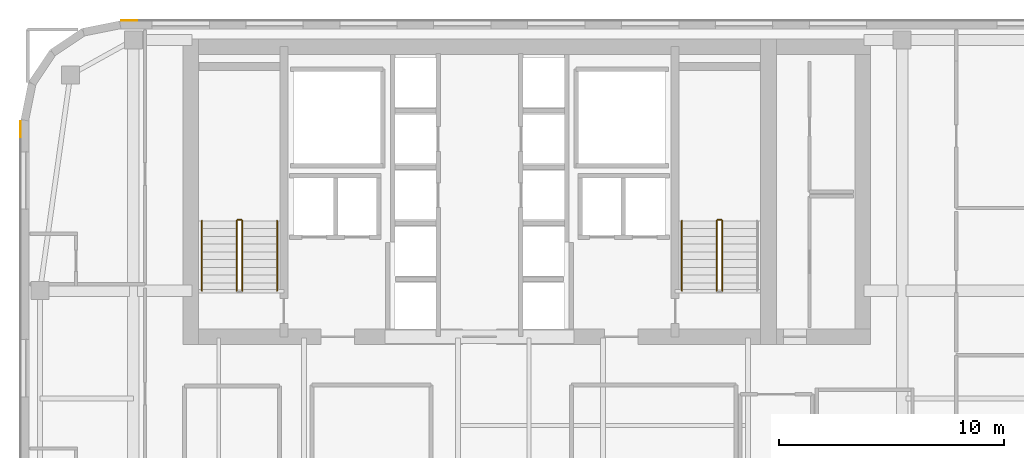
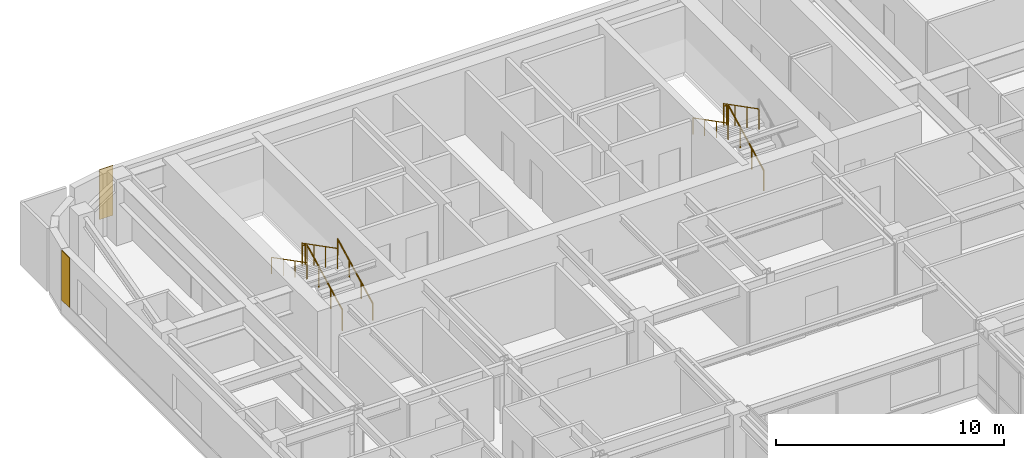
# One storey, part 20 of 21: 9 railings, 2 coverings.
"""IFC4 building model written with IfcOpenShell, lengths in metres."""

from ifc_helpers import new_model, si_unit, direction, frame, origin, origin_2d, place, context, subcontext, project, spatial, polyline, circle, outline, extrude, material, layer, layer_set, type_object, element, save


model = new_model("IFC4")

# Units and contexts
model_context = context("Model", 3, precision=1e-05, world=origin(), true_north=direction((0.0, 1.0)))
body_context = subcontext(model_context, "Body", "Model", "MODEL_VIEW")
ifc_project = project(units=[si_unit("LENGTHUNIT", "METRE"), si_unit("AREAUNIT", "SQUARE_METRE"), si_unit("VOLUMEUNIT", "CUBIC_METRE"), si_unit("PLANEANGLEUNIT", "RADIAN"), si_unit("MASSUNIT", "GRAM", prefix="KILO")], contexts=[model_context])

# Site, building, storey
site_placement = place(None, origin())
site = spatial("IfcSite", under=ifc_project, at=site_placement, CompositionType="ELEMENT")
building_placement = place(site_placement, origin())
building = spatial("IfcBuilding", under=site, at=building_placement, Name="Tolvann Quenvar Hotel", CompositionType="ELEMENT")
storey_placement = place(building_placement, frame((0.0, 0.0, 161.25)))
storey = spatial("IfcBuildingStorey", under=building, at=storey_placement, Name="L42", CompositionType="ELEMENT", Elevation=161.25)

# Coverings
ifc_material_1 = material(Name="Kiln-fired red architectural face brick cladding", Category="masonry")
ifc_layer = layer(ifc_material_1, 0.0400390625)
ifc_layer_set = layer_set([ifc_layer], Name="Kiln-fired red architectural face brick cladding")
covering_type = type_object("IfcCoveringType", Name="COV_CLAD_BRICK_40", PredefinedType="CLADDING", material=ifc_layer_set)
covering_1_placement = place(storey_placement, frame((0.0, 0.0, 0.699951171875)))
element("IfcCovering", 1, at=covering_1_placement, inside=storey, type_object=covering_type, Name="Brick Pier Cladding (L42-E18-P2)", PredefinedType="CLADDING", context=body_context, shape_type="SweptSolid", body=[
    extrude(outline(polyline([(7.76708984375, 46.0), (7.067138671875, 46.0), (7.067138671875, 46.0400390625), (7.76708984375, 46.0400390625), (7.76708984375, 46.0)])), origin(), (0.0, 0.0, 1.0), 2.670166015625),
])
covering_2_placement = place(storey_placement, frame((0.0, 0.0, 0.699951171875)))
element("IfcCovering", 2, at=covering_2_placement, inside=storey, type_object=covering_type, Name="Brick Pier Cladding (L42-E23-P1)", PredefinedType="CLADDING", context=body_context, shape_type="SweptSolid", body=[
    extrude(outline(polyline([(2.60009765625, 41.53271484375), (2.60009765625, 40.832763671875), (2.56005859375, 40.832763671875), (2.56005859375, 41.53271484375), (2.60009765625, 41.53271484375)])), origin(), (0.0, 0.0, 1.0), 2.670166015625),
])

# Railings
ifc_material_2 = material(Name="Brushed 316 stainless steel balustrade and handrail", Category="steel")
railing_type_1 = type_object("IfcRailingType", Name="GUARDRAIL", PredefinedType="GUARDRAIL", material=ifc_material_2)
railing_1_placement = place(storey_placement, frame((12.449951171875, 34.0, 0.177490234375)))
element("IfcRailing", 3, at=railing_1_placement, inside=storey, type_object=railing_type_1, Name="L42 ST-C1 stair guard 1", PredefinedType="GUARDRAIL", context=body_context, shape_type="SweptSolid", body=[
    extrude(circle(Radius=0.02392578125, at=origin_2d()), frame((0.0, 0.0, 1.09619140625), z_axis=(0.0, 0.889221982265, 0.45747597342), x_axis=(-1.0, 0.0, 0.0)), (0.0, 0.0, 1.0), 3.49169921875),
    extrude(circle(Radius=0.02099609375, at=origin_2d()), origin(), (0.0, 0.0, 1.0), 1.072021484375),
    extrude(circle(Radius=0.02099609375, at=origin_2d()), frame((0.0, 1.034912109375, 0.532470703125)), (0.0, 0.0, 1.0), 1.072021484375),
    extrude(circle(Radius=0.02099609375, at=origin_2d()), frame((0.0, 2.070068359375, 1.06494140625)), (0.0, 0.0, 1.0), 1.072021484375),
    extrude(circle(Radius=0.02099609375, at=origin_2d()), frame((0.0, 3.10498046875, 1.597412109375)), (0.0, 0.0, 1.0), 1.072021484375),
])
railing_2_placement = place(storey_placement, frame((12.39990234375, 37.155029296875, 1.77490234375)))
element("IfcRailing", 4, at=railing_2_placement, inside=storey, type_object=railing_type_1, Name="L42 ST-C1 stair guard 2", PredefinedType="GUARDRAIL", context=body_context, shape_type="SweptSolid", body=[
    extrude(circle(Radius=0.02392578125, at=origin_2d()), frame((0.0, 0.0, 1.09619140625), z_axis=(-1.0, 0.0, 0.0), x_axis=(0.0, -1.0, 0.0)), (0.0, 0.0, 1.0), 0.14990234375),
    extrude(circle(Radius=0.02099609375, at=origin_2d()), origin(), (0.0, 0.0, 1.0), 1.072021484375),
    extrude(circle(Radius=0.02099609375, at=origin_2d()), frame((-0.14990234375, 0.0, 0.0)), (0.0, 0.0, 1.0), 1.072021484375),
])
railing_3_placement = place(storey_placement, frame((12.199951171875, 37.10498046875, 1.952392578125)))
element("IfcRailing", 5, at=railing_3_placement, inside=storey, type_object=railing_type_1, Name="L42 ST-C1 stair guard 3", PredefinedType="GUARDRAIL", context=body_context, shape_type="SweptSolid", body=[
    extrude(circle(Radius=0.02392578125, at=origin_2d()), frame((0.0, 0.0, 1.09619140625), z_axis=(0.0, -0.88919353882, 0.457531256332), x_axis=(1.0, 0.0, 0.0)), (0.0, 0.0, 1.0), 3.491943359375),
    extrude(circle(Radius=0.02099609375, at=origin_2d()), origin(), (0.0, 0.0, 1.0), 1.072021484375),
    extrude(circle(Radius=0.02099609375, at=origin_2d()), frame((0.0, -1.034912109375, 0.532470703125)), (0.0, 0.0, 1.0), 1.072021484375),
    extrude(circle(Radius=0.02099609375, at=origin_2d()), frame((0.0, -2.070068359375, 1.065185546875)), (0.0, 0.0, 1.0), 1.072021484375),
    extrude(circle(Radius=0.02099609375, at=origin_2d()), frame((0.0, -3.10498046875, 1.59765625)), (0.0, 0.0, 1.0), 1.072021484375),
])
railing_4_placement = place(storey_placement, frame((33.800048828125, 34.0, 0.177490234375)))
element("IfcRailing", 6, at=railing_4_placement, inside=storey, type_object=railing_type_1, Name="L42 ST-C2 stair guard 1", PredefinedType="GUARDRAIL", context=body_context, shape_type="SweptSolid", body=[
    extrude(circle(Radius=0.02392578125, at=origin_2d()), frame((0.0, 0.0, 1.09619140625), z_axis=(0.0, 0.889221982265, 0.45747597342), x_axis=(-1.0, 0.0, 0.0)), (0.0, 0.0, 1.0), 3.49169921875),
    extrude(circle(Radius=0.02099609375, at=origin_2d()), origin(), (0.0, 0.0, 1.0), 1.072021484375),
    extrude(circle(Radius=0.02099609375, at=origin_2d()), frame((0.0, 1.034912109375, 0.532470703125)), (0.0, 0.0, 1.0), 1.072021484375),
    extrude(circle(Radius=0.02099609375, at=origin_2d()), frame((0.0, 2.070068359375, 1.06494140625)), (0.0, 0.0, 1.0), 1.072021484375),
    extrude(circle(Radius=0.02099609375, at=origin_2d()), frame((0.0, 3.10498046875, 1.597412109375)), (0.0, 0.0, 1.0), 1.072021484375),
])
railing_5_placement = place(storey_placement, frame((33.75, 37.155029296875, 1.77490234375)))
element("IfcRailing", 7, at=railing_5_placement, inside=storey, type_object=railing_type_1, Name="L42 ST-C2 stair guard 2", PredefinedType="GUARDRAIL", context=body_context, shape_type="SweptSolid", body=[
    extrude(circle(Radius=0.02392578125, at=origin_2d()), frame((0.0, 0.0, 1.09619140625), z_axis=(-1.0, 0.0, 0.0), x_axis=(0.0, -1.0, 0.0)), (0.0, 0.0, 1.0), 0.14990234375),
    extrude(circle(Radius=0.02099609375, at=origin_2d()), origin(), (0.0, 0.0, 1.0), 1.072021484375),
    extrude(circle(Radius=0.02099609375, at=origin_2d()), frame((-0.14990234375, 0.0, 0.0)), (0.0, 0.0, 1.0), 1.072021484375),
])
railing_6_placement = place(storey_placement, frame((33.550048828125, 37.10498046875, 1.952392578125)))
element("IfcRailing", 8, at=railing_6_placement, inside=storey, type_object=railing_type_1, Name="L42 ST-C2 stair guard 3", PredefinedType="GUARDRAIL", context=body_context, shape_type="SweptSolid", body=[
    extrude(circle(Radius=0.02392578125, at=origin_2d()), frame((0.0, 0.0, 1.09619140625), z_axis=(0.0, -0.88919353882, 0.457531256332), x_axis=(1.0, 0.0, 0.0)), (0.0, 0.0, 1.0), 3.491943359375),
    extrude(circle(Radius=0.02099609375, at=origin_2d()), origin(), (0.0, 0.0, 1.0), 1.072021484375),
    extrude(circle(Radius=0.02099609375, at=origin_2d()), frame((0.0, -1.034912109375, 0.532470703125)), (0.0, 0.0, 1.0), 1.072021484375),
    extrude(circle(Radius=0.02099609375, at=origin_2d()), frame((0.0, -2.070068359375, 1.065185546875)), (0.0, 0.0, 1.0), 1.072021484375),
    extrude(circle(Radius=0.02099609375, at=origin_2d()), frame((0.0, -3.10498046875, 1.59765625)), (0.0, 0.0, 1.0), 1.072021484375),
])
railing_type_2 = type_object("IfcRailingType", Name="HANDRAIL", PredefinedType="HANDRAIL", material=ifc_material_2)
railing_7_placement = place(storey_placement, frame((14.0, 34.0, 0.177490234375)))
element("IfcRailing", 9, at=railing_7_placement, inside=storey, type_object=railing_type_2, Name="L42 ST-C1 stair handrail 1", PredefinedType="HANDRAIL", context=body_context, shape_type="SweptSolid", body=[
    extrude(circle(Radius=0.02392578125, at=origin_2d()), frame((0.0, 0.0, 0.8759765625), z_axis=(0.0, 0.889221982265, 0.45747597342), x_axis=(-1.0, 0.0, 0.0)), (0.0, 0.0, 1.0), 3.49169921875),
    extrude(circle(Radius=0.02099609375, at=origin_2d()), origin(), (0.0, 0.0, 1.0), 0.851806640625),
    extrude(circle(Radius=0.02099609375, at=origin_2d()), frame((0.0, 1.034912109375, 0.532470703125)), (0.0, 0.0, 1.0), 0.851806640625),
    extrude(circle(Radius=0.02099609375, at=origin_2d()), frame((0.0, 2.070068359375, 1.06494140625)), (0.0, 0.0, 1.0), 0.851806640625),
    extrude(circle(Radius=0.02099609375, at=origin_2d()), frame((0.0, 3.10498046875, 1.597412109375)), (0.0, 0.0, 1.0), 0.851806640625),
])
for number, where, name in (
    (10, (10.64990234375, 37.10498046875, 1.952392578125), "L42 ST-C1 stair handrail 2"),
    (11, (32.0, 37.10498046875, 1.952392578125), "L42 ST-C2 stair handrail 2"),
):
    element("IfcRailing", number, at=place(storey_placement, frame(where)), inside=storey, type_object=railing_type_2, Name=name, PredefinedType="HANDRAIL", context=body_context, shape_type="SweptSolid", body=[
        extrude(circle(Radius=0.02392578125, at=origin_2d()), frame((0.0, 0.0, 0.8759765625), z_axis=(0.0, -0.88919353882, 0.457531256332), x_axis=(1.0, 0.0, 0.0)), (0.0, 0.0, 1.0), 3.491943359375),
        extrude(circle(Radius=0.02099609375, at=origin_2d()), origin(), (0.0, 0.0, 1.0), 0.851806640625),
        extrude(circle(Radius=0.02099609375, at=origin_2d()), frame((0.0, -1.034912109375, 0.532470703125)), (0.0, 0.0, 1.0), 0.851806640625),
        extrude(circle(Radius=0.02099609375, at=origin_2d()), frame((0.0, -2.070068359375, 1.065185546875)), (0.0, 0.0, 1.0), 0.851806640625),
        extrude(circle(Radius=0.02099609375, at=origin_2d()), frame((0.0, -3.10498046875, 1.59765625)), (0.0, 0.0, 1.0), 0.851806640625),
    ])

save(model, "model.ifc")
